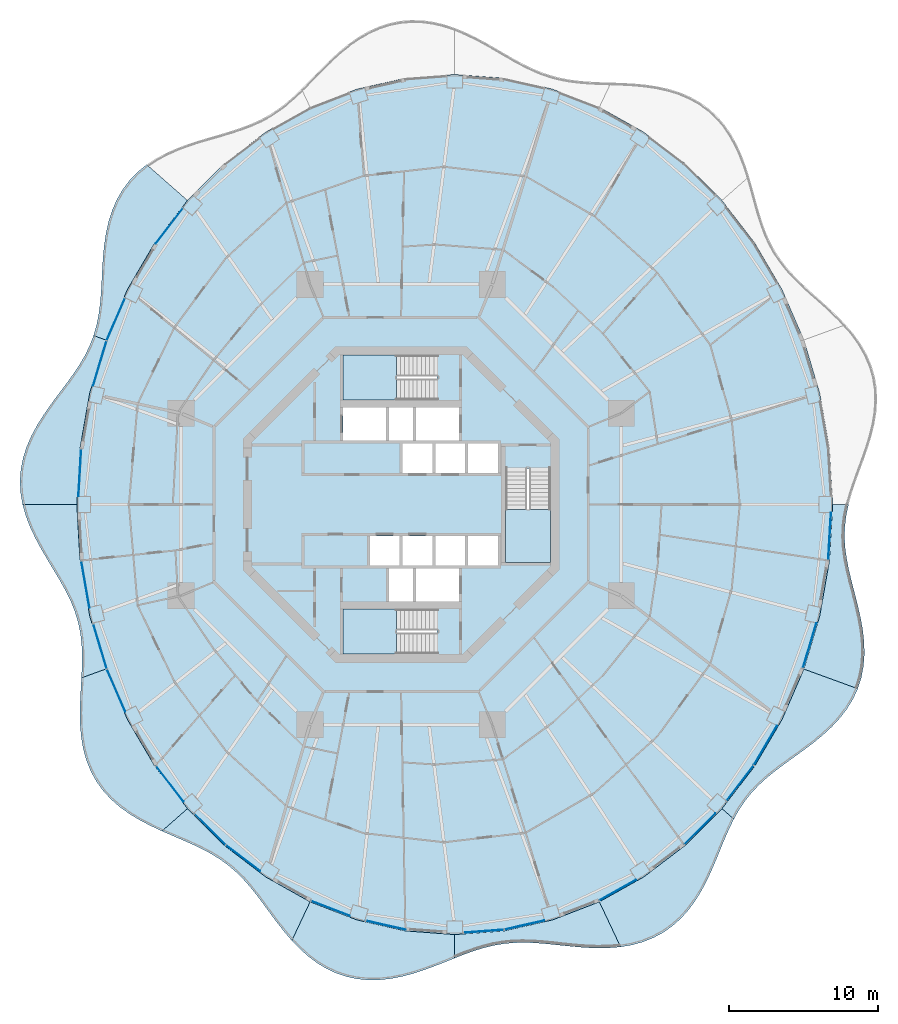
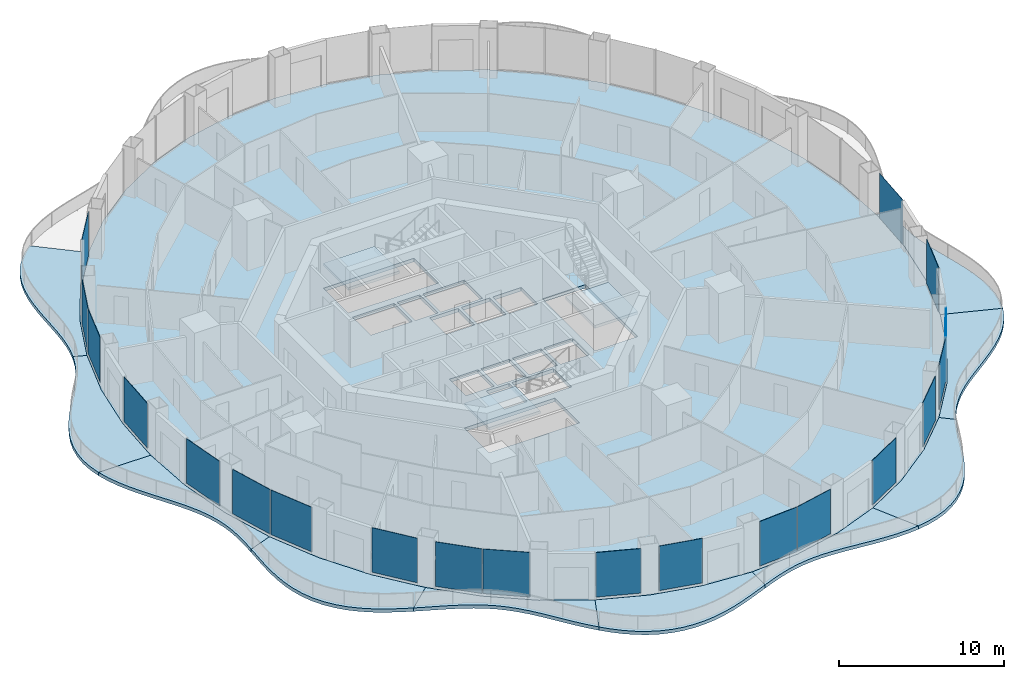
# One storey, part 9 of 19: 20 plates, 14 slabs, 23 elements without a shape of their own.
"""IFC4 building model written with IfcOpenShell, lengths in metres."""

from ifc_helpers import new_model, si_unit, direction, frame, origin, origin_2d, place, context, subcontext, project, spatial, polyline, rectangle, outline, extrude, material, layer, layer_set, type_object, element, aggregate, save


model = new_model("IFC4")

# Units and contexts
model_context = context("Model", 3, precision=1e-05, world=origin(), true_north=direction((0.0, 1.0)))
body_context = subcontext(model_context, "Body", "Model", "MODEL_VIEW")
ifc_project = project(units=[si_unit("LENGTHUNIT", "METRE"), si_unit("AREAUNIT", "SQUARE_METRE"), si_unit("VOLUMEUNIT", "CUBIC_METRE"), si_unit("PLANEANGLEUNIT", "RADIAN"), si_unit("MASSUNIT", "GRAM", prefix="KILO")], contexts=[model_context])

# Site, building, storey
site_placement = place(None, origin())
site = spatial("IfcSite", under=ifc_project, at=site_placement, CompositionType="ELEMENT")
building_placement = place(site_placement, origin())
building = spatial("IfcBuilding", under=site, at=building_placement, Name="Nagisa Residences", CompositionType="ELEMENT")
storey_placement = place(building_placement, frame((0.0, 0.0, 169.60009765625)))
storey = spatial("IfcBuildingStorey", under=building, at=storey_placement, Name="L42", CompositionType="ELEMENT", Elevation=169.60009765625)

# Slabs
ifc_material_1 = material(Name="Concrete C40/50", Category="concrete")
ifc_layer_1 = layer(ifc_material_1, 0.25)
ifc_layer_set_1 = layer_set([ifc_layer_1], Name="BALCONY SLAB 250")
slab_type_1 = type_object("IfcSlabType", Name="BALCONY SLAB 250", PredefinedType="FLOOR", material=ifc_layer_set_1)
slab_1_placement = place(storey_placement, frame((0.0, 0.0, -0.25)))
element("IfcSlab", 1, at=slab_1_placement, inside=storey, type_object=slab_type_1, Name="slab:L42:bal06", PredefinedType="FLOOR", context=body_context, shape_type="SweptSolid", body=[
    extrude(outline(polyline([(-17.077880859375, 22.8212890625), (-17.687255859375, 22.322998046875), (-18.228515625, 21.762451171875), (-18.69580078125, 21.142333984375), (-19.08544921875, 20.468017578125), (-19.3984375, 19.746337890625), (-19.638671875, 18.987060546875), (-19.8134765625, 18.199951171875), (-19.933349609375, 17.3955078125), (-20.01123046875, 16.584716796875), (-20.062255859375, 15.777099609375), (-20.101806640625, 14.981201171875), (-20.146240234375, 14.203369140625), (-20.210205078125, 13.448974609375), (-20.3076171875, 12.720458984375), (-20.44970703125, 12.0185546875), (-20.644287109375, 11.341552734375), (-19.843505859375, 11.050048828125), (-18.37548828125, 14.4375), (-16.53125, 17.577880859375), (-14.3427734375, 20.417724609375), (-17.077880859375, 22.8212890625)])), origin(), (0.0, 0.0, 1.0), 0.25),
])
slab_2_placement = place(storey_placement, frame((0.0, 0.0, -0.25)))
element("IfcSlab", 2, at=slab_2_placement, inside=storey, type_object=slab_type_1, Name="slab:L42:bal07", PredefinedType="FLOOR", context=body_context, shape_type="SweptSolid", body=[
    extrude(outline(polyline([(-20.644287109375, 11.341552734375), (-20.90478515625, 10.66552734375), (-21.226806640625, 10.007568359375), (-21.606201171875, 9.361328125), (-22.03515625, 8.719970703125), (-22.50146484375, 8.076416015625), (-22.989990234375, 7.42431640625), (-23.483642578125, 6.75830078125), (-23.962890625, 6.074462890625), (-24.408935546875, 5.369873046875), (-24.8037109375, 4.644287109375), (-25.13037109375, 3.898681640625), (-25.3759765625, 3.135498046875), (-25.530029296875, 2.35888671875), (-25.587158203125, 1.57373046875), (-25.546142578125, 0.78564453125), (-25.41064453125, 0.0), (-21.77490234375, 0.0), (-21.557861328125, 3.76904296875), (-20.910400390625, 7.473388671875), (-19.843505859375, 11.050048828125), (-20.644287109375, 11.341552734375)])), origin(), (0.0, 0.0, 1.0), 0.25),
])
slab_3_placement = place(storey_placement, frame((0.0, 0.0, -0.25)))
element("IfcSlab", 3, at=slab_3_placement, inside=storey, type_object=slab_type_1, Name="slab:L42:bal08", PredefinedType="FLOOR", context=body_context, shape_type="SweptSolid", body=[
    extrude(outline(polyline([(-25.41064453125, 0.0), (-25.188720703125, -0.778076171875), (-24.89208984375, -1.5439453125), (-24.535888671875, -2.294921875), (-24.137939453125, -3.029052734375), (-23.71728515625, -3.746337890625), (-23.29345703125, -4.448486328125), (-22.884521484375, -5.138671875), (-22.507568359375, -5.821044921875), (-22.17626953125, -6.50146484375), (-21.901123046875, -7.185546875), (-21.68798828125, -7.879150390625), (-21.538818359375, -8.588134765625), (-21.4501953125, -9.316162109375), (-21.415283203125, -10.06689453125), (-21.4228515625, -10.841064453125), (-21.45849609375, -11.637939453125), (-19.843505859375, -11.050048828125), (-20.910400390625, -7.473388671875), (-21.557861328125, -3.76904296875), (-21.77490234375, 0.0), (-25.41064453125, 0.0)])), origin(), (0.0, 0.0, 1.0), 0.25),
])
slab_4_placement = place(storey_placement, frame((0.0, 0.0, -0.25)))
element("IfcSlab", 4, at=slab_4_placement, inside=storey, type_object=slab_type_1, Name="slab:L42:bal09", PredefinedType="FLOOR", context=body_context, shape_type="SweptSolid", body=[
    extrude(outline(polyline([(-21.45849609375, -11.637939453125), (-21.504150390625, -12.4287109375), (-21.54443359375, -13.2333984375), (-21.562255859375, -14.04541015625), (-21.542236328125, -14.856689453125), (-21.46923828125, -15.658935546875), (-21.331787109375, -16.44287109375), (-21.1201171875, -17.198974609375), (-20.828369140625, -17.918701171875), (-20.45458984375, -18.594970703125), (-20.000244140625, -19.2216796875), (-19.470458984375, -19.795654296875), (-18.873291015625, -20.3154296875), (-18.219970703125, -20.78271484375), (-17.523193359375, -21.201904296875), (-16.79736328125, -21.579345703125), (-16.056884765625, -21.924072265625), (-14.3427734375, -20.417724609375), (-16.53125, -17.577880859375), (-18.37548828125, -14.4375), (-19.843505859375, -11.050048828125), (-21.45849609375, -11.637939453125)])), origin(), (0.0, 0.0, 1.0), 0.25),
])
slab_5_placement = place(storey_placement, frame((0.0, 0.0, -0.25)))
element("IfcSlab", 5, at=slab_5_placement, inside=storey, type_object=slab_type_1, Name="slab:L42:bal10", PredefinedType="FLOOR", context=body_context, shape_type="SweptSolid", body=[
    extrude(outline(polyline([(-16.056884765625, -21.924072265625), (-15.350341796875, -22.23193359375), (-14.654541015625, -22.530029296875), (-13.978759765625, -22.828857421875), (-13.3310546875, -23.139404296875), (-12.71630859375, -23.47119140625), (-12.136962890625, -23.832763671875), (-11.593017578125, -24.23095703125), (-11.08203125, -24.669677734375), (-10.59912109375, -25.1513671875), (-10.137939453125, -25.674072265625), (-9.689697265625, -26.234375), (-9.24609375, -26.8251953125), (-8.79736328125, -27.43701171875), (-8.33447265625, -28.058349609375), (-7.849365234375, -28.67578125), (-7.335205078125, -29.275146484375), (-6.110595703125, -26.677001953125), (-9.08740234375, -25.006591796875), (-11.847412109375, -22.907958984375), (-14.3427734375, -20.417724609375), (-16.056884765625, -21.924072265625)])), origin(), (0.0, 0.0, 1.0), 0.25),
])
slab_6_placement = place(storey_placement, frame((0.0, 0.0, -0.25)))
element("IfcSlab", 6, at=slab_6_placement, inside=storey, type_object=slab_type_1, Name="slab:L42:bal11", PredefinedType="FLOOR", context=body_context, shape_type="SweptSolid", body=[
    extrude(outline(polyline([(-7.335205078125, -29.275146484375), (-6.807373046875, -29.822265625), (-6.24462890625, -30.325927734375), (-5.64599609375, -30.775146484375), (-5.012451171875, -31.1591796875), (-4.34619140625, -31.47021484375), (-3.6513671875, -31.70263671875), (-2.933349609375, -31.853759765625), (-2.1982421875, -31.923583984375), (-1.45263671875, -31.91552734375), (-0.702880859375, -31.83544921875), (0.04443359375, -31.692138671875), (0.7841796875, -31.496337890625), (1.51171875, -31.2607421875), (2.224365234375, -30.9990234375), (2.92041015625, -30.724853515625), (3.60009765625, -30.452392578125), (3.60009765625, -28.875), (0.287841796875, -28.6279296875), (-2.967529296875, -27.89111328125), (-6.110595703125, -26.677001953125), (-7.335205078125, -29.275146484375)])), origin(), (0.0, 0.0, 1.0), 0.25),
])
slab_7_placement = place(storey_placement, frame((0.0, 0.0, -0.25)))
element("IfcSlab", 7, at=slab_7_placement, inside=storey, type_object=slab_type_1, Name="slab:L42:bal12", PredefinedType="FLOOR", context=body_context, shape_type="SweptSolid", body=[
    extrude(outline(polyline([(3.60009765625, -30.452392578125), (4.2646484375, -30.1943359375), (4.917236328125, -29.9619140625), (5.561767578125, -29.76416015625), (6.20263671875, -29.60791015625), (6.84521484375, -29.496826171875), (7.49462890625, -29.431640625), (8.155029296875, -29.409912109375), (8.830078125, -29.427001953125), (9.5224609375, -29.474853515625), (10.233154296875, -29.54345703125), (10.961669921875, -29.62109375), (11.70556640625, -29.695556640625), (12.4609375, -29.75341796875), (13.22265625, -29.781982421875), (13.98388671875, -29.76904296875), (14.7373046875, -29.703857421875), (13.310546875, -26.677001953125), (10.16748046875, -27.89111328125), (6.912109375, -28.6279296875), (3.60009765625, -28.875), (3.60009765625, -30.452392578125)])), origin(), (0.0, 0.0, 1.0), 0.25),
])
slab_8_placement = place(storey_placement, frame((0.0, 0.0, -0.25)))
element("IfcSlab", 8, at=slab_8_placement, inside=storey, type_object=slab_type_1, Name="slab:L42:bal13", PredefinedType="FLOOR", context=body_context, shape_type="SweptSolid", body=[
    extrude(outline(polyline([(14.7373046875, -29.703857421875), (15.502197265625, -29.572021484375), (16.240966796875, -29.367431640625), (16.945068359375, -29.086181640625), (17.607666015625, -28.72705078125), (18.222412109375, -28.2919921875), (18.78564453125, -27.786376953125), (19.2958984375, -27.2177734375), (19.75390625, -26.595703125), (20.162841796875, -25.931640625), (20.528564453125, -25.23828125), (20.858642578125, -24.52783203125), (21.16259765625, -23.813232421875), (21.451416015625, -23.105712890625), (21.736083984375, -22.415283203125), (22.028076171875, -21.75048828125), (22.33837890625, -21.11669921875), (21.542724609375, -20.417724609375), (19.04736328125, -22.907958984375), (16.28759765625, -25.006591796875), (13.310546875, -26.677001953125), (14.7373046875, -29.703857421875)])), origin(), (0.0, 0.0, 1.0), 0.25),
])
slab_9_placement = place(storey_placement, frame((0.0, 0.0, -0.25)))
element("IfcSlab", 9, at=slab_9_placement, inside=storey, type_object=slab_type_1, Name="slab:L42:bal14", PredefinedType="FLOOR", context=body_context, shape_type="SweptSolid", body=[
    extrude(outline(polyline([(22.33837890625, -21.11669921875), (22.693603515625, -20.489501953125), (23.087890625, -19.90185546875), (23.527587890625, -19.352294921875), (24.015380859375, -18.836181640625), (24.550537109375, -18.347412109375), (25.12890625, -17.87744140625), (25.7431640625, -17.417236328125), (26.382080078125, -16.95654296875), (27.033203125, -16.486083984375), (27.681396484375, -15.9970703125), (28.310791015625, -15.481201171875), (28.9052734375, -14.93310546875), (29.44970703125, -14.348388671875), (29.930419921875, -13.72509765625), (30.336181640625, -13.063720703125), (30.6591796875, -12.3662109375), (27.04345703125, -11.050048828125), (25.575439453125, -14.4375), (23.7314453125, -17.577880859375), (21.542724609375, -20.417724609375), (22.33837890625, -21.11669921875)])), origin(), (0.0, 0.0, 1.0), 0.25),
])
slab_10_placement = place(storey_placement, frame((0.0, 0.0, -0.25)))
element("IfcSlab", 10, at=slab_10_placement, inside=storey, type_object=slab_type_1, Name="slab:L42:bal15", PredefinedType="FLOOR", context=body_context, shape_type="SweptSolid", body=[
    extrude(outline(polyline([(30.6591796875, -12.3662109375), (30.900634765625, -11.612548828125), (31.048583984375, -10.830810546875), (31.1064453125, -10.02783203125), (31.08251953125, -9.211181640625), (30.98876953125, -8.388427734375), (30.84033203125, -7.56689453125), (30.654541015625, -6.752685546875), (30.45068359375, -5.950439453125), (30.24755859375, -5.163330078125), (30.063232421875, -4.392578125), (29.914794921875, -3.63818359375), (29.81494140625, -2.89794921875), (29.774169921875, -2.16845703125), (29.798095703125, -1.445556640625), (29.8876953125, -0.724365234375), (30.039306640625, 0.0), (28.97509765625, 0.0), (28.7578125, -3.76904296875), (28.1103515625, -7.473388671875), (27.04345703125, -11.050048828125), (30.6591796875, -12.3662109375)])), origin(), (0.0, 0.0, 1.0), 0.25),
])

# Curtain wall, plate
ifc_material_2 = material(Name="Concrete-coloured aluminium curtain wall system", Category="concrete")
ifc_layer_2 = layer(ifc_material_2, 0.159912109375)
ifc_layer_set_2 = layer_set([ifc_layer_2], Name="CW1 CURTAIN WALL")
curtain_wall_type = type_object("IfcCurtainWallType", Name="CW1 CURTAIN WALL", PredefinedType="NOTDEFINED", material=ifc_layer_set_2)
curtain_wall_1_placement = place(storey_placement, origin())
curtain_wall_1 = element("IfcCurtainWall", 11, at=curtain_wall_1_placement, inside=storey, type_object=curtain_wall_type, Name="cw:CW1:L42:18", PredefinedType="NOTDEFINED")
ifc_material_3 = material(Name="Clear laminated glass", Category="glass")
ifc_layer_3 = layer(ifc_material_3, 0.028076171875)
ifc_layer_set_3 = layer_set([ifc_layer_3], Name="CW1 GLASS PANEL")
plate_type = type_object("IfcPlateType", Name="CW1 GLASS PANEL", PredefinedType="CURTAIN_PANEL", material=ifc_layer_set_3)
plate_1_placement = place(storey_placement, frame((-15.559814453125, 18.70751953125, 0.14990234375), z_axis=(0.0, 0.0, 1.0), x_axis=(-0.610429828235, -0.792070340816, 0.0)))
plate_1 = element("IfcPlate", 12, at=plate_1_placement, type_object=plate_type, Name="CW1 panel", PredefinedType="CURTAIN_PANEL", context=body_context, shape_type="SweptSolid", body=[
    extrude(rectangle(XDim=2.97509765625, YDim=0.028076171875, at=origin_2d()), origin(), (0.0, 0.0, 1.0), 3.2900390625),
])
aggregate(curtain_wall_1, [plate_1])

curtain_wall_2_placement = place(storey_placement, origin())
curtain_wall_2 = element("IfcCurtainWall", 13, at=curtain_wall_2_placement, inside=storey, type_object=curtain_wall_type, Name="cw:CW1:L42:20", PredefinedType="NOTDEFINED")
plate_2_placement = place(storey_placement, frame((-19.1572265625, 12.43212890625, 0.14990234375), z_axis=(0.0, 0.0, 1.0), x_axis=(-0.397635934147, -0.917543276295, 0.0)))
plate_2 = element("IfcPlate", 14, at=plate_2_placement, type_object=plate_type, Name="CW1 panel", PredefinedType="CURTAIN_PANEL", context=body_context, shape_type="SweptSolid", body=[
    extrude(rectangle(XDim=3.08203125, YDim=0.028076171875, at=origin_2d()), origin(), (0.0, 0.0, 1.0), 3.2900390625),
])
aggregate(curtain_wall_2, [plate_2])

curtain_wall_3_placement = place(storey_placement, origin())
curtain_wall_3 = element("IfcCurtainWall", 15, at=curtain_wall_3_placement, inside=storey, type_object=curtain_wall_type, Name="cw:CW1:L42:21", PredefinedType="NOTDEFINED")
plate_3_placement = place(storey_placement, frame((-20.230224609375, 9.4736328125, 0.14990234375), z_axis=(0.0, 0.0, 1.0), x_axis=(-0.285860274038, -0.958271310082, 0.0)))
plate_3 = element("IfcPlate", 16, at=plate_3_placement, type_object=plate_type, Name="CW1 panel", PredefinedType="CURTAIN_PANEL", context=body_context, shape_type="SweptSolid", body=[
    extrude(rectangle(XDim=3.122314453125, YDim=0.028076171875, at=origin_2d()), origin(), (0.0, 0.0, 1.0), 3.2900390625),
])
aggregate(curtain_wall_3, [plate_3])

curtain_wall_4_placement = place(storey_placement, origin())
curtain_wall_4 = element("IfcCurtainWall", 17, at=curtain_wall_4_placement, inside=storey, type_object=curtain_wall_type, Name="cw:CW1:L42:23", PredefinedType="NOTDEFINED")
plate_4_placement = place(storey_placement, frame((-21.572509765625, 2.12451171875, 0.14990234375), z_axis=(0.0, 0.0, 1.0), x_axis=(-0.057503492216, -0.998345305184, 0.0)))
plate_4 = element("IfcPlate", 18, at=plate_4_placement, type_object=plate_type, Name="CW1 panel", PredefinedType="CURTAIN_PANEL", context=body_context, shape_type="SweptSolid", body=[
    extrude(rectangle(XDim=3.165283203125, YDim=0.028076171875, at=origin_2d()), origin(), (0.0, 0.0, 1.0), 3.2900390625),
])
aggregate(curtain_wall_4, [plate_4])

curtain_wall_5_placement = place(storey_placement, origin())
curtain_wall_5 = element("IfcCurtainWall", 19, at=curtain_wall_5_placement, inside=storey, type_object=curtain_wall_type, Name="cw:CW1:L42:25", PredefinedType="NOTDEFINED")
plate_5_placement = place(storey_placement, frame((-21.197509765625, -5.365966796875, 0.14990234375), z_axis=(0.0, 0.0, 1.0), x_axis=(0.172190868898, -0.985063604377, 0.0)))
plate_5 = element("IfcPlate", 20, at=plate_5_placement, type_object=plate_type, Name="CW1 panel", PredefinedType="CURTAIN_PANEL", context=body_context, shape_type="SweptSolid", body=[
    extrude(rectangle(XDim=3.150634765625, YDim=0.028076171875, at=origin_2d()), origin(), (0.0, 0.0, 1.0), 3.2900390625),
])
aggregate(curtain_wall_5, [plate_5])

curtain_wall_6_placement = place(storey_placement, origin())
curtain_wall_6 = element("IfcCurtainWall", 21, at=curtain_wall_6_placement, inside=storey, type_object=curtain_wall_type, Name="cw:CW1:L42:26", PredefinedType="NOTDEFINED")
plate_6_placement = place(storey_placement, frame((-20.213134765625, -9.531005859375, 0.14990234375), z_axis=(0.0, 0.0, 1.0), x_axis=(0.285860274038, -0.958271310082, 0.0)))
plate_6 = element("IfcPlate", 22, at=plate_6_placement, type_object=plate_type, Name="CW1 panel", PredefinedType="CURTAIN_PANEL", context=body_context, shape_type="SweptSolid", body=[
    extrude(rectangle(XDim=3.122314453125, YDim=0.028076171875, at=origin_2d()), origin(), (0.0, 0.0, 1.0), 3.2900390625),
])
aggregate(curtain_wall_6, [plate_6])

curtain_wall_7_placement = place(storey_placement, origin())
curtain_wall_7 = element("IfcCurtainWall", 23, at=curtain_wall_7_placement, inside=storey, type_object=curtain_wall_type, Name="cw:CW1:L42:27", PredefinedType="NOTDEFINED")
plate_7_placement = place(storey_placement, frame((-19.133544921875, -12.487060546875, 0.14990234375), z_axis=(0.0, 0.0, 1.0), x_axis=(0.397635934147, -0.917543276295, 0.0)))
plate_7 = element("IfcPlate", 24, at=plate_7_placement, type_object=plate_type, Name="CW1 panel", PredefinedType="CURTAIN_PANEL", context=body_context, shape_type="SweptSolid", body=[
    extrude(rectangle(XDim=3.08203125, YDim=0.028076171875, at=origin_2d()), origin(), (0.0, 0.0, 1.0), 3.2900390625),
])
aggregate(curtain_wall_7, [plate_7])

curtain_wall_8_placement = place(storey_placement, origin())
curtain_wall_8 = element("IfcCurtainWall", 25, at=curtain_wall_8_placement, inside=storey, type_object=curtain_wall_type, Name="cw:CW1:L42:29", PredefinedType="NOTDEFINED")
plate_8_placement = place(storey_placement, frame((-15.523193359375, -18.7548828125, 0.14990234375), z_axis=(0.0, 0.0, 1.0), x_axis=(0.610429828235, -0.792070340816, 0.0)))
plate_8 = element("IfcPlate", 26, at=plate_8_placement, type_object=plate_type, Name="CW1 panel", PredefinedType="CURTAIN_PANEL", context=body_context, shape_type="SweptSolid", body=[
    extrude(rectangle(XDim=2.97509765625, YDim=0.028076171875, at=origin_2d()), origin(), (0.0, 0.0, 1.0), 3.2900390625),
])
aggregate(curtain_wall_8, [plate_8])

curtain_wall_9_placement = place(storey_placement, origin())
curtain_wall_9 = element("IfcCurtainWall", 27, at=curtain_wall_9_placement, inside=storey, type_object=curtain_wall_type, Name="cw:CW1:L42:30", PredefinedType="NOTDEFINED")
plate_9_placement = place(storey_placement, frame((-12.82275390625, -21.82177734375, 0.14990234375), z_axis=(0.0, 0.0, 1.0), x_axis=(0.707835924016, -0.706376885714, 0.0)))
plate_9 = element("IfcPlate", 28, at=plate_9_placement, type_object=plate_type, Name="CW1 panel", PredefinedType="CURTAIN_PANEL", context=body_context, shape_type="SweptSolid", body=[
    extrude(rectangle(XDim=2.91552734375, YDim=0.028076171875, at=origin_2d()), origin(), (0.0, 0.0, 1.0), 3.2900390625),
])
aggregate(curtain_wall_9, [plate_9])

curtain_wall_10_placement = place(storey_placement, origin())
curtain_wall_10 = element("IfcCurtainWall", 29, at=curtain_wall_10_placement, inside=storey, type_object=curtain_wall_type, Name="cw:CW1:L42:31", PredefinedType="NOTDEFINED")
plate_10_placement = place(storey_placement, frame((-10.614013671875, -23.745361328125, 0.14990234375), z_axis=(0.0, 0.0, 1.0), x_axis=(0.79603132756, -0.605255421737, 0.0)))
plate_10 = element("IfcPlate", 30, at=plate_10_placement, type_object=plate_type, Name="CW1 panel", PredefinedType="CURTAIN_PANEL", context=body_context, shape_type="SweptSolid", body=[
    extrude(rectangle(XDim=2.85693359375, YDim=0.028076171875, at=origin_2d()), origin(), (0.0, 0.0, 1.0), 3.2900390625),
])
aggregate(curtain_wall_10, [plate_10])

curtain_wall_11_placement = place(storey_placement, origin())
curtain_wall_11 = element("IfcCurtainWall", 31, at=curtain_wall_11_placement, inside=storey, type_object=curtain_wall_type, Name="cw:CW1:L42:33", PredefinedType="NOTDEFINED")
plate_11_placement = place(storey_placement, frame((-4.73876953125, -27.12109375, 0.14990234375), z_axis=(0.0, 0.0, 1.0), x_axis=(0.932825759707, -0.360327770268, 0.0)))
plate_11 = element("IfcPlate", 32, at=plate_11_placement, type_object=plate_type, Name="CW1 panel", PredefinedType="CURTAIN_PANEL", context=body_context, shape_type="SweptSolid", body=[
    extrude(rectangle(XDim=2.75927734375, YDim=0.028076171875, at=origin_2d()), origin(), (0.0, 0.0, 1.0), 3.2900390625),
])
aggregate(curtain_wall_11, [plate_11])

curtain_wall_12_placement = place(storey_placement, origin())
curtain_wall_12 = element("IfcCurtainWall", 33, at=curtain_wall_12_placement, inside=storey, type_object=curtain_wall_type, Name="cw:CW1:L42:34", PredefinedType="NOTDEFINED")
plate_12_placement = place(storey_placement, frame((-1.024658203125, -28.248779296875, 0.14990234375), z_axis=(0.0, 0.0, 1.0), x_axis=(0.975327274089, -0.2207639201, 0.0)))
plate_12 = element("IfcPlate", 34, at=plate_12_placement, type_object=plate_type, Name="CW1 panel", PredefinedType="CURTAIN_PANEL", context=body_context, shape_type="SweptSolid", body=[
    extrude(rectangle(XDim=2.727783203125, YDim=0.028076171875, at=origin_2d()), origin(), (0.0, 0.0, 1.0), 3.2900390625),
])
aggregate(curtain_wall_12, [plate_12])

curtain_wall_13_placement = place(storey_placement, origin())
curtain_wall_13 = element("IfcCurtainWall", 35, at=curtain_wall_13_placement, inside=storey, type_object=curtain_wall_type, Name="cw:CW1:L42:36", PredefinedType="NOTDEFINED")
plate_13_placement = place(storey_placement, frame((5.55419921875, -28.64892578125, 0.14990234375), z_axis=(0.0, 0.0, 1.0), x_axis=(0.997230168512, 0.074377355493, 0.0)))
plate_13 = element("IfcPlate", 36, at=plate_13_placement, type_object=plate_type, Name="CW1 panel", PredefinedType="CURTAIN_PANEL", context=body_context, shape_type="SweptSolid", body=[
    extrude(rectangle(XDim=2.711181640625, YDim=0.028076171875, at=origin_2d()), origin(), (0.0, 0.0, 1.0), 3.2900390625),
])
aggregate(curtain_wall_13, [plate_13])

curtain_wall_14_placement = place(storey_placement, origin())
curtain_wall_14 = element("IfcCurtainWall", 37, at=curtain_wall_14_placement, inside=storey, type_object=curtain_wall_type, Name="cw:CW1:L42:37", PredefinedType="NOTDEFINED")
plate_14_placement = place(storey_placement, frame((8.283203125, -28.235595703125, 0.14990234375), z_axis=(0.0, 0.0, 1.0), x_axis=(0.975327274089, 0.2207639201, 0.0)))
plate_14 = element("IfcPlate", 38, at=plate_14_placement, type_object=plate_type, Name="CW1 panel", PredefinedType="CURTAIN_PANEL", context=body_context, shape_type="SweptSolid", body=[
    extrude(rectangle(XDim=2.727783203125, YDim=0.028076171875, at=origin_2d()), origin(), (0.0, 0.0, 1.0), 3.2900390625),
])
aggregate(curtain_wall_14, [plate_14])

curtain_wall_15_placement = place(storey_placement, origin())
curtain_wall_15 = element("IfcCurtainWall", 39, at=curtain_wall_15_placement, inside=storey, type_object=curtain_wall_type, Name="cw:CW1:L42:39", PredefinedType="NOTDEFINED")
plate_15_placement = place(storey_placement, frame((14.546142578125, -25.891845703125, 0.14990234375), z_axis=(0.0, 0.0, 1.0), x_axis=(0.872072377523, 0.489376918501, 0.0)))
plate_15 = element("IfcPlate", 40, at=plate_15_placement, type_object=plate_type, Name="CW1 panel", PredefinedType="CURTAIN_PANEL", context=body_context, shape_type="SweptSolid", body=[
    extrude(rectangle(XDim=2.8037109375, YDim=0.028076171875, at=origin_2d()), origin(), (0.0, 0.0, 1.0), 3.2900390625),
])
aggregate(curtain_wall_15, [plate_15])

curtain_wall_16_placement = place(storey_placement, origin())
curtain_wall_16 = element("IfcCurtainWall", 41, at=curtain_wall_16_placement, inside=storey, type_object=curtain_wall_type, Name="cw:CW1:L42:41", PredefinedType="NOTDEFINED")
plate_16_placement = place(storey_placement, frame((20.065185546875, -21.779296875, 0.14990234375), z_axis=(0.0, 0.0, 1.0), x_axis=(0.707835924016, 0.706376885714, 0.0)))
plate_16 = element("IfcPlate", 42, at=plate_16_placement, type_object=plate_type, Name="CW1 panel", PredefinedType="CURTAIN_PANEL", context=body_context, shape_type="SweptSolid", body=[
    extrude(rectangle(XDim=2.91552734375, YDim=0.028076171875, at=origin_2d()), origin(), (0.0, 0.0, 1.0), 3.2900390625),
])
aggregate(curtain_wall_16, [plate_16])

curtain_wall_17_placement = place(storey_placement, origin())
curtain_wall_17 = element("IfcCurtainWall", 43, at=curtain_wall_17_placement, inside=storey, type_object=curtain_wall_type, Name="cw:CW1:L42:42", PredefinedType="NOTDEFINED")
plate_17_placement = place(storey_placement, frame((22.760009765625, -18.70751953125, 0.14990234375), z_axis=(0.0, 0.0, 1.0), x_axis=(0.610429828235, 0.792070340816, 0.0)))
plate_17 = element("IfcPlate", 44, at=plate_17_placement, type_object=plate_type, Name="CW1 panel", PredefinedType="CURTAIN_PANEL", context=body_context, shape_type="SweptSolid", body=[
    extrude(rectangle(XDim=2.97509765625, YDim=0.028076171875, at=origin_2d()), origin(), (0.0, 0.0, 1.0), 3.2900390625),
])
aggregate(curtain_wall_17, [plate_17])

curtain_wall_18_placement = place(storey_placement, origin())
curtain_wall_18 = element("IfcCurtainWall", 45, at=curtain_wall_18_placement, inside=storey, type_object=curtain_wall_type, Name="cw:CW1:L42:43", PredefinedType="NOTDEFINED")
plate_18_placement = place(storey_placement, frame((24.460205078125, -16.178466796875, 0.14990234375), z_axis=(0.0, 0.0, 1.0), x_axis=(0.506348567002, 0.862328898214, 0.0)))
plate_18 = element("IfcPlate", 46, at=plate_18_placement, type_object=plate_type, Name="CW1 panel", PredefinedType="CURTAIN_PANEL", context=body_context, shape_type="SweptSolid", body=[
    extrude(rectangle(XDim=3.031982421875, YDim=0.028076171875, at=origin_2d()), origin(), (0.0, 0.0, 1.0), 3.2900390625),
])
aggregate(curtain_wall_18, [plate_18])

curtain_wall_19_placement = place(storey_placement, origin())
curtain_wall_19 = element("IfcCurtainWall", 47, at=curtain_wall_19_placement, inside=storey, type_object=curtain_wall_type, Name="cw:CW1:L42:45", PredefinedType="NOTDEFINED")
plate_19_placement = place(storey_placement, frame((27.43017578125, -9.4736328125, 0.14990234375), z_axis=(0.0, 0.0, 1.0), x_axis=(0.285860274038, 0.958271310082, 0.0)))
plate_19 = element("IfcPlate", 48, at=plate_19_placement, type_object=plate_type, Name="CW1 panel", PredefinedType="CURTAIN_PANEL", context=body_context, shape_type="SweptSolid", body=[
    extrude(rectangle(XDim=3.122314453125, YDim=0.028076171875, at=origin_2d()), origin(), (0.0, 0.0, 1.0), 3.2900390625),
])
aggregate(curtain_wall_19, [plate_19])

curtain_wall_20_placement = place(storey_placement, origin())
curtain_wall_20 = element("IfcCurtainWall", 49, at=curtain_wall_20_placement, inside=storey, type_object=curtain_wall_type, Name="cw:CW1:L42:47", PredefinedType="NOTDEFINED")
plate_20_placement = place(storey_placement, frame((28.7724609375, -2.12451171875, 0.14990234375), z_axis=(0.0, 0.0, 1.0), x_axis=(0.057503492216, 0.998345305184, 0.0)))
plate_20 = element("IfcPlate", 50, at=plate_20_placement, type_object=plate_type, Name="CW1 panel", PredefinedType="CURTAIN_PANEL", context=body_context, shape_type="SweptSolid", body=[
    extrude(rectangle(XDim=3.165283203125, YDim=0.028076171875, at=origin_2d()), origin(), (0.0, 0.0, 1.0), 3.2900390625),
])
aggregate(curtain_wall_20, [plate_20])

# Slab
ifc_material_4 = material(Name="Concrete C40", Category="concrete")
ifc_layer_4 = layer(ifc_material_4, 0.260009765625)
ifc_layer_set_4 = layer_set([ifc_layer_4], Name="Floor slab 260")
slab_type_2 = type_object("IfcSlabType", Name="Floor slab 260", PredefinedType="FLOOR", material=ifc_layer_set_4)
slab_11_placement = place(storey_placement, frame((0.0, 0.0, -0.260009765625)))
element("IfcSlab", 51, at=slab_11_placement, inside=storey, type_object=slab_type_2, Name="slab:L42:floor", PredefinedType="FLOOR", context=body_context, shape_type="SweptSolid", body=[
    extrude(outline(polyline([(28.97509765625, 0.0), (28.7578125, 3.76904296875), (28.1103515625, 7.473388671875), (27.04345703125, 11.050048828125), (25.575439453125, 14.4375), (23.7314453125, 17.577880859375), (21.542724609375, 20.417724609375), (19.04736328125, 22.907958984375), (16.28759765625, 25.006591796875), (13.310546875, 26.677001953125), (10.16748046875, 27.89111328125), (6.912109375, 28.6279296875), (3.60009765625, 28.875), (0.287841796875, 28.6279296875), (-2.967529296875, 27.89111328125), (-6.110595703125, 26.677001953125), (-9.08740234375, 25.006591796875), (-11.847412109375, 22.907958984375), (-14.3427734375, 20.417724609375), (-16.53125, 17.577880859375), (-18.37548828125, 14.4375), (-19.843505859375, 11.050048828125), (-20.910400390625, 7.473388671875), (-21.557861328125, 3.76904296875), (-21.77490234375, 0.0), (-21.557861328125, -3.76904296875), (-20.910400390625, -7.473388671875), (-19.843505859375, -11.050048828125), (-18.37548828125, -14.4375), (-16.53125, -17.577880859375), (-14.3427734375, -20.417724609375), (-11.847412109375, -22.907958984375), (-9.08740234375, -25.006591796875), (-6.110595703125, -26.677001953125), (-2.967529296875, -27.89111328125), (0.287841796875, -28.6279296875), (3.60009765625, -28.875), (6.912109375, -28.6279296875), (10.16748046875, -27.89111328125), (13.310546875, -26.677001953125), (16.28759765625, -25.006591796875), (19.04736328125, -22.907958984375), (21.542724609375, -20.417724609375), (23.7314453125, -17.577880859375), (25.575439453125, -14.4375), (27.04345703125, -11.050048828125), (28.1103515625, -7.473388671875), (28.7578125, -3.76904296875), (28.97509765625, 0.0)]), holes=[polyline([(2.10009765625, 2.10009765625), (2.10009765625, 4.10009765625), (0.10009765625, 4.10009765625), (0.10009765625, 2.10009765625), (2.10009765625, 2.10009765625)]), polyline([(4.300048828125, 2.10009765625), (4.300048828125, 4.10009765625), (2.300048828125, 4.10009765625), (2.300048828125, 2.10009765625), (4.300048828125, 2.10009765625)]), polyline([(6.5, 2.10009765625), (6.5, 4.10009765625), (4.5, 4.10009765625), (4.5, 2.10009765625), (6.5, 2.10009765625)]), polyline([(-0.10009765625, -4.10009765625), (-0.10009765625, -2.10009765625), (-2.10009765625, -2.10009765625), (-2.10009765625, -4.10009765625), (-0.10009765625, -4.10009765625)]), polyline([(2.10009765625, -4.10009765625), (2.10009765625, -2.10009765625), (0.10009765625, -2.10009765625), (0.10009765625, -4.10009765625), (2.10009765625, -4.10009765625)]), polyline([(4.300048828125, -4.10009765625), (4.300048828125, -2.10009765625), (2.300048828125, -2.10009765625), (2.300048828125, -4.10009765625), (4.300048828125, -4.10009765625)]), polyline([(6.5, -4.10009765625), (6.5, -2.10009765625), (4.5, -2.10009765625), (4.5, -4.10009765625), (6.5, -4.10009765625)]), polyline([(3.89990234375, 4.300048828125), (3.89990234375, 6.5), (1.0, 6.5), (1.0, 4.300048828125), (3.89990234375, 4.300048828125)]), polyline([(3.89990234375, -6.5), (3.89990234375, -4.300048828125), (1.0, -4.300048828125), (1.0, -6.5), (3.89990234375, -6.5)]), polyline([(-1.0, 4.300048828125), (-1.0, 6.5), (-3.89990234375, 6.5), (-3.89990234375, 4.300048828125), (-1.0, 4.300048828125)]), polyline([(0.800048828125, 4.300048828125), (0.800048828125, 6.5), (-0.800048828125, 6.5), (-0.800048828125, 4.300048828125), (0.800048828125, 4.300048828125)]), polyline([(0.800048828125, -6.5), (0.800048828125, -4.300048828125), (-0.800048828125, -4.300048828125), (-0.800048828125, -6.5), (0.800048828125, -6.5)]), polyline([(10.024658203125, -3.89990234375), (7.024658203125, -3.89990234375), (7.024658203125, 2.425048828125), (10.024658203125, 2.425048828125), (10.024658203125, -3.89990234375)]), polyline([(-3.89990234375, 7.024658203125), (-3.89990234375, 10.024658203125), (2.425048828125, 10.024658203125), (2.425048828125, 7.024658203125), (-3.89990234375, 7.024658203125)]), polyline([(-3.89990234375, -10.024658203125), (-3.89990234375, -7.024658203125), (2.425048828125, -7.024658203125), (2.425048828125, -10.024658203125), (-3.89990234375, -10.024658203125)])]), origin(), (0.0, 0.0, 1.0), 0.260009765625),
])

# Stair, slab
ifc_material_5 = material(Name="Concrete C60", Category="concrete")
stair_type = type_object("IfcStairType", Name="Exit stair", PredefinedType="HALF_TURN_STAIR", material=ifc_material_5)
stair_1_placement = place(storey_placement, origin())
stair_1 = element("IfcStair", 52, at=stair_1_placement, inside=storey, type_object=stair_type, Name="L42 Exit stair E", PredefinedType="HALF_TURN_STAIR")
ifc_material_6 = material(Name="Concrete C60", Category="concrete")
ifc_layer_5 = layer(ifc_material_6, 0.199951171875)
ifc_layer_set_5 = layer_set([ifc_layer_5], Name="Stair landing")
slab_type_3 = type_object("IfcSlabType", Name="Stair landing", PredefinedType="LANDING", material=ifc_layer_set_5)
slab_12_placement = place(storey_placement, frame((0.0, 0.0, 1.64990234375)))
slab_12 = element("IfcSlab", 53, at=slab_12_placement, type_object=slab_type_3, Name="ST-E landing 1", PredefinedType="LANDING", context=body_context, shape_type="SweptSolid", body=[
    extrude(outline(polyline([(7.024658203125, -0.324951171875), (7.024658203125, -3.89990234375), (10.024658203125, -3.89990234375), (10.024658203125, -0.324951171875), (7.024658203125, -0.324951171875)])), origin(), (0.0, 0.0, 1.0), 0.199951171875),
])
aggregate(stair_1, [slab_12])

stair_2_placement = place(storey_placement, origin())
stair_2 = element("IfcStair", 54, at=stair_2_placement, inside=storey, type_object=stair_type, Name="L42 Exit stair N", PredefinedType="HALF_TURN_STAIR")
slab_13_placement = place(storey_placement, frame((0.0, 0.0, 1.64990234375)))
slab_13 = element("IfcSlab", 55, at=slab_13_placement, type_object=slab_type_3, Name="ST-N landing 1", PredefinedType="LANDING", context=body_context, shape_type="SweptSolid", body=[
    extrude(outline(polyline([(-0.324951171875, 10.024658203125), (-3.89990234375, 10.024658203125), (-3.89990234375, 7.024658203125), (-0.324951171875, 7.024658203125), (-0.324951171875, 10.024658203125)])), origin(), (0.0, 0.0, 1.0), 0.199951171875),
])
aggregate(stair_2, [slab_13])

stair_3_placement = place(storey_placement, origin())
stair_3 = element("IfcStair", 56, at=stair_3_placement, inside=storey, type_object=stair_type, Name="L42 Exit stair S", PredefinedType="HALF_TURN_STAIR")
slab_14_placement = place(storey_placement, frame((0.0, 0.0, 1.64990234375)))
slab_14 = element("IfcSlab", 57, at=slab_14_placement, type_object=slab_type_3, Name="ST-S landing 1", PredefinedType="LANDING", context=body_context, shape_type="SweptSolid", body=[
    extrude(outline(polyline([(-0.324951171875, -7.024658203125), (-3.89990234375, -7.024658203125), (-3.89990234375, -10.024658203125), (-0.324951171875, -10.024658203125), (-0.324951171875, -7.024658203125)])), origin(), (0.0, 0.0, 1.0), 0.199951171875),
])
aggregate(stair_3, [slab_14])

save(model, "model.ifc")
